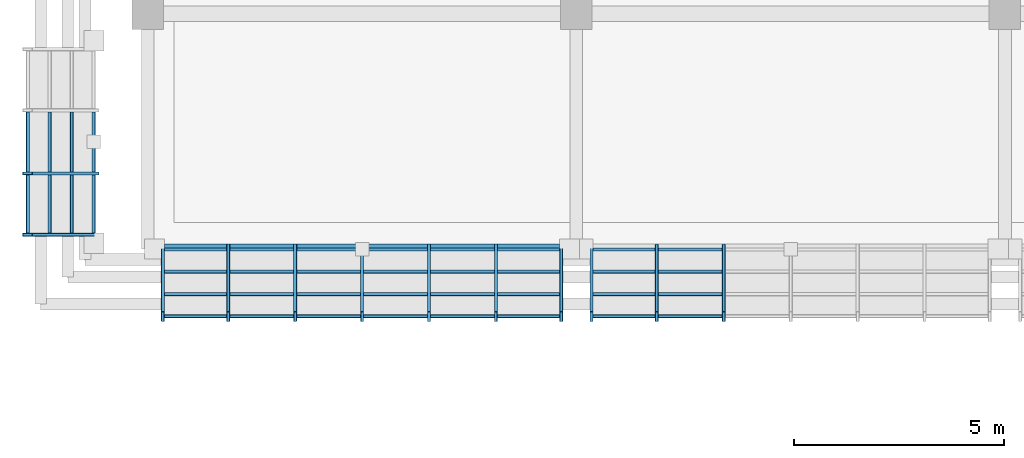
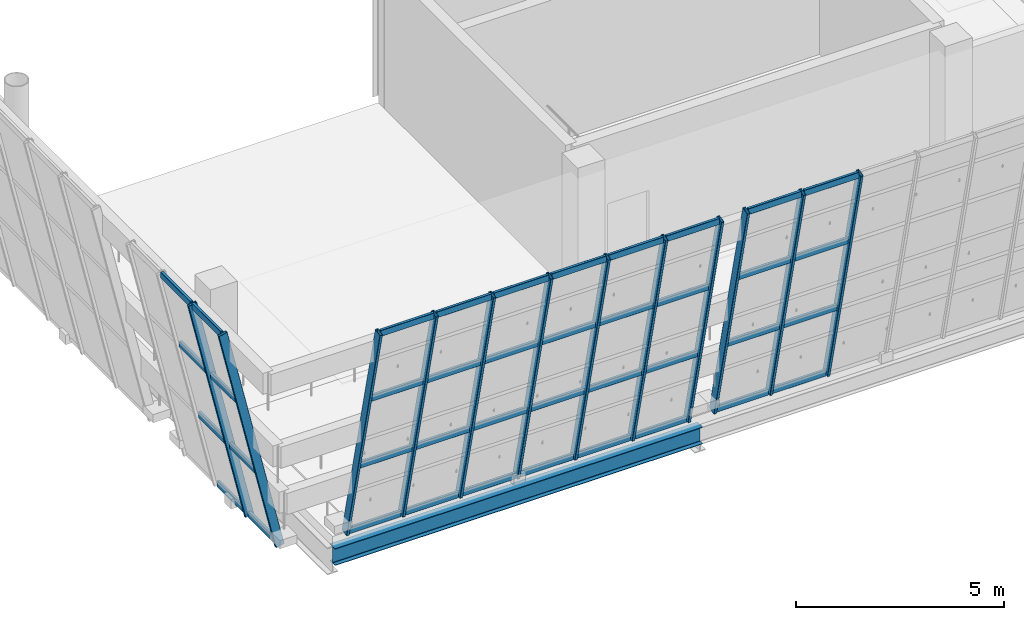
# One storey, part 21 of 157: 52 members, 1 beam, 3 elements without a shape of their own.
"""IFC4 building model written with IfcOpenShell, lengths in metres."""

from ifc_helpers import new_model, si_unit, direction, frame, origin, origin_2d, place, context, subcontext, project, spatial, hollow_rectangle, i_section, extrude, material, material_profile, profile_set, type_object, element, aggregate, save


model = new_model("IFC4")

# Units and contexts
model_context = context("Model", 3, precision=1e-05, world=origin(), true_north=direction((0.0, 1.0)))
body_context = subcontext(model_context, "Body", "Model", "MODEL_VIEW")
ifc_project = project(units=[si_unit("LENGTHUNIT", "METRE"), si_unit("AREAUNIT", "SQUARE_METRE"), si_unit("VOLUMEUNIT", "CUBIC_METRE"), si_unit("PLANEANGLEUNIT", "RADIAN"), si_unit("MASSUNIT", "GRAM", prefix="KILO")], contexts=[model_context])

# Site, building, storey
site_placement = place(None, origin())
site = spatial("IfcSite", under=ifc_project, at=site_placement, CompositionType="ELEMENT")
building_placement = place(site_placement, origin())
building = spatial("IfcBuilding", under=site, at=building_placement, Name="Brelvane Convention Centre", CompositionType="ELEMENT")
storey_placement = place(building_placement, frame((0.0, 0.0, 10.800048828125)))
storey = spatial("IfcBuildingStorey", under=building, at=storey_placement, Name="L02", CompositionType="ELEMENT", Elevation=10.800048828125)

# Curtain wall, members
ifc_material_1 = material(Name="Anodised Aluminium Alloy 6063-T6", Category="aluminium")
curtain_wall_type = type_object("IfcCurtainWallType", Name="Curtain Wall CW-HULL-S", PredefinedType="USERDEFINED", material=ifc_material_1)
curtain_wall_1_placement = place(storey_placement, origin())
curtain_wall_1 = element("IfcCurtainWall", 1, at=curtain_wall_1_placement, inside=storey, type_object=curtain_wall_type, Name="Curtain Wall CW-HULL-S L02-HULL-S-L02-01", ObjectType="UNITISED", PredefinedType="USERDEFINED")
ifc_material_2 = material(Name="Anodised Aluminium Alloy 6063-T6", Category="aluminium")
ifc_material_profile_1 = material_profile(ifc_material_2, hollow_rectangle(XDim=0.080078125, YDim=0.239990234375, WallThickness=0.006103515625, InnerFilletRadius=0.006103515625, OuterFilletRadius=0.011962890625, at=origin_2d()), Name="ALU-M 240x80x6.0")
ifc_profile_set_1 = profile_set([ifc_material_profile_1], Name="Anodised Aluminium Alloy 6063-T6")
member_type_1 = type_object("IfcMemberType", Name="Curtain Mullion CW-M1", PredefinedType="MULLION", material=ifc_profile_set_1)
member_1_placement = place(storey_placement, frame((0.360107421875, 13.60009765625, 0.0), z_axis=(0.0, -0.228360410362, 0.973576665178), x_axis=(1.0, 0.0, 0.0)))
member_1 = element("IfcMember", 2, at=member_1_placement, type_object=member_type_1, Name="CW-HULL-S mullion 1", PredefinedType="MULLION", context=body_context, shape_type="SweptSolid", body=[
    extrude(hollow_rectangle(XDim=0.080078125, YDim=0.239990234375, WallThickness=0.006103515625, InnerFilletRadius=0.006103515625, OuterFilletRadius=0.011962890625, at=origin_2d()), origin(), (0.0, 0.0, 1.0), 7.03564453125),
])
member_2_placement = place(storey_placement, frame((1.913330078125, 13.60009765625, 0.0), z_axis=(0.0, -0.228360410362, 0.973576665178), x_axis=(1.0, 0.0, 0.0)))
member_2 = element("IfcMember", 3, at=member_2_placement, type_object=member_type_1, Name="CW-HULL-S mullion 2", PredefinedType="MULLION", context=body_context, shape_type="SweptSolid", body=[
    extrude(hollow_rectangle(XDim=0.080078125, YDim=0.239990234375, WallThickness=0.006103515625, InnerFilletRadius=0.006103515625, OuterFilletRadius=0.011962890625, at=origin_2d()), origin(), (0.0, 0.0, 1.0), 7.03564453125),
])
member_3_placement = place(storey_placement, frame((3.506591796875, 13.60009765625, 0.0), z_axis=(0.0, -0.228360410362, 0.973576665178), x_axis=(1.0, 0.0, 0.0)))
member_3 = element("IfcMember", 4, at=member_3_placement, type_object=member_type_1, Name="CW-HULL-S mullion 3", PredefinedType="MULLION", context=body_context, shape_type="SweptSolid", body=[
    extrude(hollow_rectangle(XDim=0.080078125, YDim=0.239990234375, WallThickness=0.006103515625, InnerFilletRadius=0.006103515625, OuterFilletRadius=0.011962890625, at=origin_2d()), origin(), (0.0, 0.0, 1.0), 7.03564453125),
])
member_4_placement = place(storey_placement, frame((5.10009765625, 13.60009765625, 0.0), z_axis=(0.0, -0.228360410362, 0.973576665178), x_axis=(1.0, 0.0, 0.0)))
member_4 = element("IfcMember", 5, at=member_4_placement, type_object=member_type_1, Name="CW-HULL-S mullion 4", PredefinedType="MULLION", context=body_context, shape_type="SweptSolid", body=[
    extrude(hollow_rectangle(XDim=0.080078125, YDim=0.239990234375, WallThickness=0.006103515625, InnerFilletRadius=0.006103515625, OuterFilletRadius=0.011962890625, at=origin_2d()), origin(), (0.0, 0.0, 1.0), 7.03564453125),
])
member_5_placement = place(storey_placement, frame((6.693359375, 13.60009765625, 0.0), z_axis=(0.0, -0.228360410362, 0.973576665178), x_axis=(1.0, 0.0, 0.0)))
member_5 = element("IfcMember", 6, at=member_5_placement, type_object=member_type_1, Name="CW-HULL-S mullion 5", PredefinedType="MULLION", context=body_context, shape_type="SweptSolid", body=[
    extrude(hollow_rectangle(XDim=0.080078125, YDim=0.239990234375, WallThickness=0.006103515625, InnerFilletRadius=0.006103515625, OuterFilletRadius=0.011962890625, at=origin_2d()), origin(), (0.0, 0.0, 1.0), 7.03564453125),
])
member_6_placement = place(storey_placement, frame((8.28662109375, 13.60009765625, 0.0), z_axis=(0.0, -0.228360410362, 0.973576665178), x_axis=(1.0, 0.0, 0.0)))
member_6 = element("IfcMember", 7, at=member_6_placement, type_object=member_type_1, Name="CW-HULL-S mullion 6", PredefinedType="MULLION", context=body_context, shape_type="SweptSolid", body=[
    extrude(hollow_rectangle(XDim=0.080078125, YDim=0.239990234375, WallThickness=0.006103515625, InnerFilletRadius=0.006103515625, OuterFilletRadius=0.011962890625, at=origin_2d()), origin(), (0.0, 0.0, 1.0), 7.03564453125),
])
member_7_placement = place(storey_placement, frame((9.840087890625, 13.60009765625, 0.0), z_axis=(0.0, -0.228360410362, 0.973576665178), x_axis=(1.0, 0.0, 0.0)))
member_7 = element("IfcMember", 8, at=member_7_placement, type_object=member_type_1, Name="CW-HULL-S mullion 7", PredefinedType="MULLION", context=body_context, shape_type="SweptSolid", body=[
    extrude(hollow_rectangle(XDim=0.080078125, YDim=0.239990234375, WallThickness=0.006103515625, InnerFilletRadius=0.006103515625, OuterFilletRadius=0.011962890625, at=origin_2d()), origin(), (0.0, 0.0, 1.0), 7.03564453125),
])

curtain_wall_2_placement = place(storey_placement, origin())
curtain_wall_2 = element("IfcCurtainWall", 9, at=curtain_wall_2_placement, inside=storey, type_object=curtain_wall_type, Name="Curtain Wall CW-HULL-S L02-HULL-S-L02-02", ObjectType="UNITISED", PredefinedType="USERDEFINED")
member_8_placement = place(storey_placement, frame((10.56005859375, 13.60009765625, 0.0), z_axis=(0.0, -0.228360410362, 0.973576665178), x_axis=(1.0, 0.0, 0.0)))
member_8 = element("IfcMember", 10, at=member_8_placement, type_object=member_type_1, Name="CW-HULL-S mullion 1", PredefinedType="MULLION", context=body_context, shape_type="SweptSolid", body=[
    extrude(hollow_rectangle(XDim=0.080078125, YDim=0.239990234375, WallThickness=0.006103515625, InnerFilletRadius=0.006103515625, OuterFilletRadius=0.011962890625, at=origin_2d()), origin(), (0.0, 0.0, 1.0), 7.03564453125),
])
member_9_placement = place(storey_placement, frame((12.11328125, 13.60009765625, 0.0), z_axis=(0.0, -0.228360410362, 0.973576665178), x_axis=(1.0, 0.0, 0.0)))
member_9 = element("IfcMember", 11, at=member_9_placement, type_object=member_type_1, Name="CW-HULL-S mullion 2", PredefinedType="MULLION", context=body_context, shape_type="SweptSolid", body=[
    extrude(hollow_rectangle(XDim=0.080078125, YDim=0.239990234375, WallThickness=0.006103515625, InnerFilletRadius=0.006103515625, OuterFilletRadius=0.011962890625, at=origin_2d()), origin(), (0.0, 0.0, 1.0), 7.03564453125),
])
member_10_placement = place(storey_placement, frame((13.706787109375, 13.60009765625, 0.0), z_axis=(0.0, -0.228360410362, 0.973576665178), x_axis=(1.0, 0.0, 0.0)))
member_10 = element("IfcMember", 12, at=member_10_placement, type_object=member_type_1, Name="CW-HULL-S mullion 3", PredefinedType="MULLION", context=body_context, shape_type="SweptSolid", body=[
    extrude(hollow_rectangle(XDim=0.080078125, YDim=0.239990234375, WallThickness=0.006103515625, InnerFilletRadius=0.006103515625, OuterFilletRadius=0.011962890625, at=origin_2d()), origin(), (0.0, 0.0, 1.0), 7.03564453125),
])

curtain_wall_3_placement = place(storey_placement, origin())
curtain_wall_3 = element("IfcCurtainWall", 13, at=curtain_wall_3_placement, inside=storey, type_object=curtain_wall_type, Name="Curtain Wall CW-HULL-S L02-HULL-W-GAL-L02-A", ObjectType="UNITISED", PredefinedType="USERDEFINED")
member_11_placement = place(storey_placement, frame((-1.280029296875, 13.93994140625, 0.0), z_axis=(-0.228358217905, 0.0, 0.973577179434), x_axis=(0.0, -1.0, 0.0)))
member_11 = element("IfcMember", 14, at=member_11_placement, type_object=member_type_1, Name="CW-HULL-S mullion 1", PredefinedType="MULLION", context=body_context, shape_type="SweptSolid", body=[
    extrude(hollow_rectangle(XDim=0.080078125, YDim=0.239990234375, WallThickness=0.006103515625, InnerFilletRadius=0.006103515625, OuterFilletRadius=0.011962890625, at=origin_2d()), origin(), (0.0, 0.0, 1.0), 6.93310546875),
])
member_12_placement = place(storey_placement, frame((-1.280029296875, 15.39990234375, 0.0), z_axis=(-0.228358217905, 0.0, 0.973577179434), x_axis=(0.0, -1.0, 0.0)))
member_12 = element("IfcMember", 15, at=member_12_placement, type_object=member_type_1, Name="CW-HULL-S mullion 2", PredefinedType="MULLION", context=body_context, shape_type="SweptSolid", body=[
    extrude(hollow_rectangle(XDim=0.080078125, YDim=0.239990234375, WallThickness=0.006103515625, InnerFilletRadius=0.006103515625, OuterFilletRadius=0.011962890625, at=origin_2d()), origin(), (0.0, 0.0, 1.0), 6.93310546875),
])

# Member
ifc_material_3 = material(Name="Anodised Aluminium Alloy 6063-T6", Category="aluminium")
ifc_material_profile_2 = material_profile(ifc_material_3, hollow_rectangle(XDim=0.080078125, YDim=0.179931640625, WallThickness=0.0048828125, InnerFilletRadius=0.0048828125, OuterFilletRadius=0.010009765625, at=origin_2d()), Name="ALU-T 180x80x5.0")
ifc_profile_set_2 = profile_set([ifc_material_profile_2], Name="Anodised Aluminium Alloy 6063-T6")
member_type_2 = type_object("IfcMemberType", Name="Curtain Transom CW-T1", PredefinedType="USERDEFINED", material=ifc_profile_set_2)
member_13_placement = place(storey_placement, frame((0.39990234375, 13.590576171875, 0.0400390625), z_axis=(1.0, 0.0, 0.0), x_axis=(0.0, 1.0, 0.0)))
member_13 = element("IfcMember", 16, at=member_13_placement, type_object=member_type_2, Name="CW-HULL-S transom 1.1", ObjectType="TRANSOM", PredefinedType="USERDEFINED", context=body_context, shape_type="SweptSolid", body=[
    extrude(hollow_rectangle(XDim=0.080078125, YDim=0.179931640625, WallThickness=0.0048828125, InnerFilletRadius=0.0048828125, OuterFilletRadius=0.010009765625, at=origin_2d()), origin(), (0.0, 0.0, 1.0), 1.473388671875),
])

member_14_placement = place(storey_placement, frame((0.39990234375, 13.064453125, 2.283203125), z_axis=(1.0, 0.0, 0.0), x_axis=(0.0, 1.0, 0.0)))
member_14 = element("IfcMember", 17, at=member_14_placement, type_object=member_type_2, Name="CW-HULL-S transom 1.2", ObjectType="TRANSOM", PredefinedType="USERDEFINED", context=body_context, shape_type="SweptSolid", body=[
    extrude(hollow_rectangle(XDim=0.080078125, YDim=0.179931640625, WallThickness=0.0048828125, InnerFilletRadius=0.0048828125, OuterFilletRadius=0.010009765625, at=origin_2d()), origin(), (0.0, 0.0, 1.0), 1.473388671875),
])

member_15_placement = place(storey_placement, frame((0.39990234375, 12.52880859375, 4.566650390625), z_axis=(1.0, 0.0, 0.0), x_axis=(0.0, 1.0, 0.0)))
member_15 = element("IfcMember", 18, at=member_15_placement, type_object=member_type_2, Name="CW-HULL-S transom 1.3", ObjectType="TRANSOM", PredefinedType="USERDEFINED", context=body_context, shape_type="SweptSolid", body=[
    extrude(hollow_rectangle(XDim=0.080078125, YDim=0.179931640625, WallThickness=0.0048828125, InnerFilletRadius=0.0048828125, OuterFilletRadius=0.010009765625, at=origin_2d()), origin(), (0.0, 0.0, 1.0), 1.473388671875),
])

member_16_placement = place(storey_placement, frame((0.39990234375, 12.002685546875, 6.81005859375), z_axis=(1.0, 0.0, 0.0), x_axis=(0.0, 1.0, 0.0)))
member_16 = element("IfcMember", 19, at=member_16_placement, type_object=member_type_2, Name="CW-HULL-S transom 1.4", ObjectType="TRANSOM", PredefinedType="USERDEFINED", context=body_context, shape_type="SweptSolid", body=[
    extrude(hollow_rectangle(XDim=0.080078125, YDim=0.179931640625, WallThickness=0.0048828125, InnerFilletRadius=0.0048828125, OuterFilletRadius=0.010009765625, at=origin_2d()), origin(), (0.0, 0.0, 1.0), 1.473388671875),
])

member_17_placement = place(storey_placement, frame((1.953369140625, 13.590576171875, 0.0400390625), z_axis=(1.0, 0.0, 0.0), x_axis=(0.0, 1.0, 0.0)))
member_17 = element("IfcMember", 20, at=member_17_placement, type_object=member_type_2, Name="CW-HULL-S transom 2.1", ObjectType="TRANSOM", PredefinedType="USERDEFINED", context=body_context, shape_type="SweptSolid", body=[
    extrude(hollow_rectangle(XDim=0.080078125, YDim=0.179931640625, WallThickness=0.0048828125, InnerFilletRadius=0.0048828125, OuterFilletRadius=0.010009765625, at=origin_2d()), origin(), (0.0, 0.0, 1.0), 1.51318359375),
])

member_18_placement = place(storey_placement, frame((1.953369140625, 13.064453125, 2.283203125), z_axis=(1.0, 0.0, 0.0), x_axis=(0.0, 1.0, 0.0)))
member_18 = element("IfcMember", 21, at=member_18_placement, type_object=member_type_2, Name="CW-HULL-S transom 2.2", ObjectType="TRANSOM", PredefinedType="USERDEFINED", context=body_context, shape_type="SweptSolid", body=[
    extrude(hollow_rectangle(XDim=0.080078125, YDim=0.179931640625, WallThickness=0.0048828125, InnerFilletRadius=0.0048828125, OuterFilletRadius=0.010009765625, at=origin_2d()), origin(), (0.0, 0.0, 1.0), 1.51318359375),
])

member_19_placement = place(storey_placement, frame((1.953369140625, 12.52880859375, 4.566650390625), z_axis=(1.0, 0.0, 0.0), x_axis=(0.0, 1.0, 0.0)))
member_19 = element("IfcMember", 22, at=member_19_placement, type_object=member_type_2, Name="CW-HULL-S transom 2.3", ObjectType="TRANSOM", PredefinedType="USERDEFINED", context=body_context, shape_type="SweptSolid", body=[
    extrude(hollow_rectangle(XDim=0.080078125, YDim=0.179931640625, WallThickness=0.0048828125, InnerFilletRadius=0.0048828125, OuterFilletRadius=0.010009765625, at=origin_2d()), origin(), (0.0, 0.0, 1.0), 1.51318359375),
])

member_20_placement = place(storey_placement, frame((1.953369140625, 12.002685546875, 6.81005859375), z_axis=(1.0, 0.0, 0.0), x_axis=(0.0, 1.0, 0.0)))
member_20 = element("IfcMember", 23, at=member_20_placement, type_object=member_type_2, Name="CW-HULL-S transom 2.4", ObjectType="TRANSOM", PredefinedType="USERDEFINED", context=body_context, shape_type="SweptSolid", body=[
    extrude(hollow_rectangle(XDim=0.080078125, YDim=0.179931640625, WallThickness=0.0048828125, InnerFilletRadius=0.0048828125, OuterFilletRadius=0.010009765625, at=origin_2d()), origin(), (0.0, 0.0, 1.0), 1.51318359375),
])

member_21_placement = place(storey_placement, frame((3.546630859375, 13.590576171875, 0.0400390625), z_axis=(1.0, 0.0, 0.0), x_axis=(0.0, 1.0, 0.0)))
member_21 = element("IfcMember", 24, at=member_21_placement, type_object=member_type_2, Name="CW-HULL-S transom 3.1", ObjectType="TRANSOM", PredefinedType="USERDEFINED", context=body_context, shape_type="SweptSolid", body=[
    extrude(hollow_rectangle(XDim=0.080078125, YDim=0.179931640625, WallThickness=0.0048828125, InnerFilletRadius=0.0048828125, OuterFilletRadius=0.010009765625, at=origin_2d()), origin(), (0.0, 0.0, 1.0), 1.513427734375),
])

member_22_placement = place(storey_placement, frame((3.546630859375, 13.064453125, 2.283203125), z_axis=(1.0, 0.0, 0.0), x_axis=(0.0, 1.0, 0.0)))
member_22 = element("IfcMember", 25, at=member_22_placement, type_object=member_type_2, Name="CW-HULL-S transom 3.2", ObjectType="TRANSOM", PredefinedType="USERDEFINED", context=body_context, shape_type="SweptSolid", body=[
    extrude(hollow_rectangle(XDim=0.080078125, YDim=0.179931640625, WallThickness=0.0048828125, InnerFilletRadius=0.0048828125, OuterFilletRadius=0.010009765625, at=origin_2d()), origin(), (0.0, 0.0, 1.0), 1.513427734375),
])

member_23_placement = place(storey_placement, frame((3.546630859375, 12.52880859375, 4.566650390625), z_axis=(1.0, 0.0, 0.0), x_axis=(0.0, 1.0, 0.0)))
member_23 = element("IfcMember", 26, at=member_23_placement, type_object=member_type_2, Name="CW-HULL-S transom 3.3", ObjectType="TRANSOM", PredefinedType="USERDEFINED", context=body_context, shape_type="SweptSolid", body=[
    extrude(hollow_rectangle(XDim=0.080078125, YDim=0.179931640625, WallThickness=0.0048828125, InnerFilletRadius=0.0048828125, OuterFilletRadius=0.010009765625, at=origin_2d()), origin(), (0.0, 0.0, 1.0), 1.513427734375),
])

member_24_placement = place(storey_placement, frame((3.546630859375, 12.002685546875, 6.81005859375), z_axis=(1.0, 0.0, 0.0), x_axis=(0.0, 1.0, 0.0)))
member_24 = element("IfcMember", 27, at=member_24_placement, type_object=member_type_2, Name="CW-HULL-S transom 3.4", ObjectType="TRANSOM", PredefinedType="USERDEFINED", context=body_context, shape_type="SweptSolid", body=[
    extrude(hollow_rectangle(XDim=0.080078125, YDim=0.179931640625, WallThickness=0.0048828125, InnerFilletRadius=0.0048828125, OuterFilletRadius=0.010009765625, at=origin_2d()), origin(), (0.0, 0.0, 1.0), 1.513427734375),
])

member_25_placement = place(storey_placement, frame((5.139892578125, 13.590576171875, 0.0400390625), z_axis=(1.0, 0.0, 0.0), x_axis=(0.0, 1.0, 0.0)))
member_25 = element("IfcMember", 28, at=member_25_placement, type_object=member_type_2, Name="CW-HULL-S transom 4.1", ObjectType="TRANSOM", PredefinedType="USERDEFINED", context=body_context, shape_type="SweptSolid", body=[
    extrude(hollow_rectangle(XDim=0.080078125, YDim=0.179931640625, WallThickness=0.0048828125, InnerFilletRadius=0.0048828125, OuterFilletRadius=0.010009765625, at=origin_2d()), origin(), (0.0, 0.0, 1.0), 1.513427734375),
])

member_26_placement = place(storey_placement, frame((5.139892578125, 13.064453125, 2.283203125), z_axis=(1.0, 0.0, 0.0), x_axis=(0.0, 1.0, 0.0)))
member_26 = element("IfcMember", 29, at=member_26_placement, type_object=member_type_2, Name="CW-HULL-S transom 4.2", ObjectType="TRANSOM", PredefinedType="USERDEFINED", context=body_context, shape_type="SweptSolid", body=[
    extrude(hollow_rectangle(XDim=0.080078125, YDim=0.179931640625, WallThickness=0.0048828125, InnerFilletRadius=0.0048828125, OuterFilletRadius=0.010009765625, at=origin_2d()), origin(), (0.0, 0.0, 1.0), 1.513427734375),
])

member_27_placement = place(storey_placement, frame((5.139892578125, 12.52880859375, 4.566650390625), z_axis=(1.0, 0.0, 0.0), x_axis=(0.0, 1.0, 0.0)))
member_27 = element("IfcMember", 30, at=member_27_placement, type_object=member_type_2, Name="CW-HULL-S transom 4.3", ObjectType="TRANSOM", PredefinedType="USERDEFINED", context=body_context, shape_type="SweptSolid", body=[
    extrude(hollow_rectangle(XDim=0.080078125, YDim=0.179931640625, WallThickness=0.0048828125, InnerFilletRadius=0.0048828125, OuterFilletRadius=0.010009765625, at=origin_2d()), origin(), (0.0, 0.0, 1.0), 1.513427734375),
])

member_28_placement = place(storey_placement, frame((5.139892578125, 12.002685546875, 6.81005859375), z_axis=(1.0, 0.0, 0.0), x_axis=(0.0, 1.0, 0.0)))
member_28 = element("IfcMember", 31, at=member_28_placement, type_object=member_type_2, Name="CW-HULL-S transom 4.4", ObjectType="TRANSOM", PredefinedType="USERDEFINED", context=body_context, shape_type="SweptSolid", body=[
    extrude(hollow_rectangle(XDim=0.080078125, YDim=0.179931640625, WallThickness=0.0048828125, InnerFilletRadius=0.0048828125, OuterFilletRadius=0.010009765625, at=origin_2d()), origin(), (0.0, 0.0, 1.0), 1.513427734375),
])

member_29_placement = place(storey_placement, frame((6.7333984375, 13.590576171875, 0.0400390625), z_axis=(1.0, 0.0, 0.0), x_axis=(0.0, 1.0, 0.0)))
member_29 = element("IfcMember", 32, at=member_29_placement, type_object=member_type_2, Name="CW-HULL-S transom 5.1", ObjectType="TRANSOM", PredefinedType="USERDEFINED", context=body_context, shape_type="SweptSolid", body=[
    extrude(hollow_rectangle(XDim=0.080078125, YDim=0.179931640625, WallThickness=0.0048828125, InnerFilletRadius=0.0048828125, OuterFilletRadius=0.010009765625, at=origin_2d()), origin(), (0.0, 0.0, 1.0), 1.51318359375),
])

member_30_placement = place(storey_placement, frame((6.7333984375, 13.064453125, 2.283203125), z_axis=(1.0, 0.0, 0.0), x_axis=(0.0, 1.0, 0.0)))
member_30 = element("IfcMember", 33, at=member_30_placement, type_object=member_type_2, Name="CW-HULL-S transom 5.2", ObjectType="TRANSOM", PredefinedType="USERDEFINED", context=body_context, shape_type="SweptSolid", body=[
    extrude(hollow_rectangle(XDim=0.080078125, YDim=0.179931640625, WallThickness=0.0048828125, InnerFilletRadius=0.0048828125, OuterFilletRadius=0.010009765625, at=origin_2d()), origin(), (0.0, 0.0, 1.0), 1.51318359375),
])

member_31_placement = place(storey_placement, frame((6.7333984375, 12.52880859375, 4.566650390625), z_axis=(1.0, 0.0, 0.0), x_axis=(0.0, 1.0, 0.0)))
member_31 = element("IfcMember", 34, at=member_31_placement, type_object=member_type_2, Name="CW-HULL-S transom 5.3", ObjectType="TRANSOM", PredefinedType="USERDEFINED", context=body_context, shape_type="SweptSolid", body=[
    extrude(hollow_rectangle(XDim=0.080078125, YDim=0.179931640625, WallThickness=0.0048828125, InnerFilletRadius=0.0048828125, OuterFilletRadius=0.010009765625, at=origin_2d()), origin(), (0.0, 0.0, 1.0), 1.51318359375),
])

member_32_placement = place(storey_placement, frame((6.7333984375, 12.002685546875, 6.81005859375), z_axis=(1.0, 0.0, 0.0), x_axis=(0.0, 1.0, 0.0)))
member_32 = element("IfcMember", 35, at=member_32_placement, type_object=member_type_2, Name="CW-HULL-S transom 5.4", ObjectType="TRANSOM", PredefinedType="USERDEFINED", context=body_context, shape_type="SweptSolid", body=[
    extrude(hollow_rectangle(XDim=0.080078125, YDim=0.179931640625, WallThickness=0.0048828125, InnerFilletRadius=0.0048828125, OuterFilletRadius=0.010009765625, at=origin_2d()), origin(), (0.0, 0.0, 1.0), 1.51318359375),
])

member_33_placement = place(storey_placement, frame((8.32666015625, 13.590576171875, 0.0400390625), z_axis=(1.0, 0.0, 0.0), x_axis=(0.0, 1.0, 0.0)))
member_33 = element("IfcMember", 36, at=member_33_placement, type_object=member_type_2, Name="CW-HULL-S transom 6.1", ObjectType="TRANSOM", PredefinedType="USERDEFINED", context=body_context, shape_type="SweptSolid", body=[
    extrude(hollow_rectangle(XDim=0.080078125, YDim=0.179931640625, WallThickness=0.0048828125, InnerFilletRadius=0.0048828125, OuterFilletRadius=0.010009765625, at=origin_2d()), origin(), (0.0, 0.0, 1.0), 1.473388671875),
])

member_34_placement = place(storey_placement, frame((8.32666015625, 13.064453125, 2.283203125), z_axis=(1.0, 0.0, 0.0), x_axis=(0.0, 1.0, 0.0)))
member_34 = element("IfcMember", 37, at=member_34_placement, type_object=member_type_2, Name="CW-HULL-S transom 6.2", ObjectType="TRANSOM", PredefinedType="USERDEFINED", context=body_context, shape_type="SweptSolid", body=[
    extrude(hollow_rectangle(XDim=0.080078125, YDim=0.179931640625, WallThickness=0.0048828125, InnerFilletRadius=0.0048828125, OuterFilletRadius=0.010009765625, at=origin_2d()), origin(), (0.0, 0.0, 1.0), 1.473388671875),
])

member_35_placement = place(storey_placement, frame((8.32666015625, 12.52880859375, 4.566650390625), z_axis=(1.0, 0.0, 0.0), x_axis=(0.0, 1.0, 0.0)))
member_35 = element("IfcMember", 38, at=member_35_placement, type_object=member_type_2, Name="CW-HULL-S transom 6.3", ObjectType="TRANSOM", PredefinedType="USERDEFINED", context=body_context, shape_type="SweptSolid", body=[
    extrude(hollow_rectangle(XDim=0.080078125, YDim=0.179931640625, WallThickness=0.0048828125, InnerFilletRadius=0.0048828125, OuterFilletRadius=0.010009765625, at=origin_2d()), origin(), (0.0, 0.0, 1.0), 1.473388671875),
])

member_36_placement = place(storey_placement, frame((8.32666015625, 12.002685546875, 6.81005859375), z_axis=(1.0, 0.0, 0.0), x_axis=(0.0, 1.0, 0.0)))
member_36 = element("IfcMember", 39, at=member_36_placement, type_object=member_type_2, Name="CW-HULL-S transom 6.4", ObjectType="TRANSOM", PredefinedType="USERDEFINED", context=body_context, shape_type="SweptSolid", body=[
    extrude(hollow_rectangle(XDim=0.080078125, YDim=0.179931640625, WallThickness=0.0048828125, InnerFilletRadius=0.0048828125, OuterFilletRadius=0.010009765625, at=origin_2d()), origin(), (0.0, 0.0, 1.0), 1.473388671875),
])

aggregate(curtain_wall_1, [member_1, member_2, member_3, member_4, member_5, member_6, member_7, member_13, member_14, member_15, member_16, member_17, member_18, member_19, member_20, member_21, member_22, member_23, member_24, member_25, member_26, member_27, member_28, member_29, member_30, member_31, member_32, member_33, member_34, member_35, member_36])

member_37_placement = place(storey_placement, frame((10.60009765625, 13.590576171875, 0.0400390625), z_axis=(1.0, 0.0, 0.0), x_axis=(0.0, 1.0, 0.0)))
member_37 = element("IfcMember", 40, at=member_37_placement, type_object=member_type_2, Name="CW-HULL-S transom 1.1", ObjectType="TRANSOM", PredefinedType="USERDEFINED", context=body_context, shape_type="SweptSolid", body=[
    extrude(hollow_rectangle(XDim=0.080078125, YDim=0.179931640625, WallThickness=0.0048828125, InnerFilletRadius=0.0048828125, OuterFilletRadius=0.010009765625, at=origin_2d()), origin(), (0.0, 0.0, 1.0), 1.47314453125),
])

member_38_placement = place(storey_placement, frame((10.60009765625, 13.064453125, 2.283203125), z_axis=(1.0, 0.0, 0.0), x_axis=(0.0, 1.0, 0.0)))
member_38 = element("IfcMember", 41, at=member_38_placement, type_object=member_type_2, Name="CW-HULL-S transom 1.2", ObjectType="TRANSOM", PredefinedType="USERDEFINED", context=body_context, shape_type="SweptSolid", body=[
    extrude(hollow_rectangle(XDim=0.080078125, YDim=0.179931640625, WallThickness=0.0048828125, InnerFilletRadius=0.0048828125, OuterFilletRadius=0.010009765625, at=origin_2d()), origin(), (0.0, 0.0, 1.0), 1.47314453125),
])

member_39_placement = place(storey_placement, frame((10.60009765625, 12.52880859375, 4.566650390625), z_axis=(1.0, 0.0, 0.0), x_axis=(0.0, 1.0, 0.0)))
member_39 = element("IfcMember", 42, at=member_39_placement, type_object=member_type_2, Name="CW-HULL-S transom 1.3", ObjectType="TRANSOM", PredefinedType="USERDEFINED", context=body_context, shape_type="SweptSolid", body=[
    extrude(hollow_rectangle(XDim=0.080078125, YDim=0.179931640625, WallThickness=0.0048828125, InnerFilletRadius=0.0048828125, OuterFilletRadius=0.010009765625, at=origin_2d()), origin(), (0.0, 0.0, 1.0), 1.47314453125),
])

member_40_placement = place(storey_placement, frame((10.60009765625, 12.002685546875, 6.81005859375), z_axis=(1.0, 0.0, 0.0), x_axis=(0.0, 1.0, 0.0)))
member_40 = element("IfcMember", 43, at=member_40_placement, type_object=member_type_2, Name="CW-HULL-S transom 1.4", ObjectType="TRANSOM", PredefinedType="USERDEFINED", context=body_context, shape_type="SweptSolid", body=[
    extrude(hollow_rectangle(XDim=0.080078125, YDim=0.179931640625, WallThickness=0.0048828125, InnerFilletRadius=0.0048828125, OuterFilletRadius=0.010009765625, at=origin_2d()), origin(), (0.0, 0.0, 1.0), 1.47314453125),
])

member_41_placement = place(storey_placement, frame((12.1533203125, 13.590576171875, 0.0400390625), z_axis=(1.0, 0.0, 0.0), x_axis=(0.0, 1.0, 0.0)))
member_41 = element("IfcMember", 44, at=member_41_placement, type_object=member_type_2, Name="CW-HULL-S transom 2.1", ObjectType="TRANSOM", PredefinedType="USERDEFINED", context=body_context, shape_type="SweptSolid", body=[
    extrude(hollow_rectangle(XDim=0.080078125, YDim=0.179931640625, WallThickness=0.0048828125, InnerFilletRadius=0.0048828125, OuterFilletRadius=0.010009765625, at=origin_2d()), origin(), (0.0, 0.0, 1.0), 1.513427734375),
])

member_42_placement = place(storey_placement, frame((12.1533203125, 13.064453125, 2.283203125), z_axis=(1.0, 0.0, 0.0), x_axis=(0.0, 1.0, 0.0)))
member_42 = element("IfcMember", 45, at=member_42_placement, type_object=member_type_2, Name="CW-HULL-S transom 2.2", ObjectType="TRANSOM", PredefinedType="USERDEFINED", context=body_context, shape_type="SweptSolid", body=[
    extrude(hollow_rectangle(XDim=0.080078125, YDim=0.179931640625, WallThickness=0.0048828125, InnerFilletRadius=0.0048828125, OuterFilletRadius=0.010009765625, at=origin_2d()), origin(), (0.0, 0.0, 1.0), 1.513427734375),
])

member_43_placement = place(storey_placement, frame((12.1533203125, 12.52880859375, 4.566650390625), z_axis=(1.0, 0.0, 0.0), x_axis=(0.0, 1.0, 0.0)))
member_43 = element("IfcMember", 46, at=member_43_placement, type_object=member_type_2, Name="CW-HULL-S transom 2.3", ObjectType="TRANSOM", PredefinedType="USERDEFINED", context=body_context, shape_type="SweptSolid", body=[
    extrude(hollow_rectangle(XDim=0.080078125, YDim=0.179931640625, WallThickness=0.0048828125, InnerFilletRadius=0.0048828125, OuterFilletRadius=0.010009765625, at=origin_2d()), origin(), (0.0, 0.0, 1.0), 1.513427734375),
])

member_44_placement = place(storey_placement, frame((12.1533203125, 12.002685546875, 6.81005859375), z_axis=(1.0, 0.0, 0.0), x_axis=(0.0, 1.0, 0.0)))
member_44 = element("IfcMember", 47, at=member_44_placement, type_object=member_type_2, Name="CW-HULL-S transom 2.4", ObjectType="TRANSOM", PredefinedType="USERDEFINED", context=body_context, shape_type="SweptSolid", body=[
    extrude(hollow_rectangle(XDim=0.080078125, YDim=0.179931640625, WallThickness=0.0048828125, InnerFilletRadius=0.0048828125, OuterFilletRadius=0.010009765625, at=origin_2d()), origin(), (0.0, 0.0, 1.0), 1.513427734375),
])

aggregate(curtain_wall_2, [member_8, member_9, member_10, member_37, member_38, member_39, member_40, member_41, member_42, member_43, member_44])

member_45_placement = place(storey_placement, frame((-1.289306640625, 13.97998046875, 0.0400390625), z_axis=(0.0, 1.0, 0.0), x_axis=(-1.0, 0.0, 0.0)))
member_45 = element("IfcMember", 48, at=member_45_placement, type_object=member_type_2, Name="CW-HULL-S transom 1.1", ObjectType="TRANSOM", PredefinedType="USERDEFINED", context=body_context, shape_type="SweptSolid", body=[
    extrude(hollow_rectangle(XDim=0.080078125, YDim=0.179931640625, WallThickness=0.0048828125, InnerFilletRadius=0.0048828125, OuterFilletRadius=0.010009765625, at=origin_2d()), origin(), (0.0, 0.0, 1.0), 1.380126953125),
])

member_46_placement = place(storey_placement, frame((-1.8076171875, 13.97998046875, 2.25), z_axis=(0.0, 1.0, 0.0), x_axis=(-1.0, 0.0, 0.0)))
member_46 = element("IfcMember", 49, at=member_46_placement, type_object=member_type_2, Name="CW-HULL-S transom 1.2", ObjectType="TRANSOM", PredefinedType="USERDEFINED", context=body_context, shape_type="SweptSolid", body=[
    extrude(hollow_rectangle(XDim=0.080078125, YDim=0.179931640625, WallThickness=0.0048828125, InnerFilletRadius=0.0048828125, OuterFilletRadius=0.010009765625, at=origin_2d()), origin(), (0.0, 0.0, 1.0), 1.380126953125),
])

member_47_placement = place(storey_placement, frame((-2.33544921875, 13.97998046875, 4.5), z_axis=(0.0, 1.0, 0.0), x_axis=(-1.0, 0.0, 0.0)))
member_47 = element("IfcMember", 50, at=member_47_placement, type_object=member_type_2, Name="CW-HULL-S transom 1.3", ObjectType="TRANSOM", PredefinedType="USERDEFINED", context=body_context, shape_type="SweptSolid", body=[
    extrude(hollow_rectangle(XDim=0.080078125, YDim=0.179931640625, WallThickness=0.0048828125, InnerFilletRadius=0.0048828125, OuterFilletRadius=0.010009765625, at=origin_2d()), origin(), (0.0, 0.0, 1.0), 1.380126953125),
])

member_48_placement = place(storey_placement, frame((-2.853759765625, 13.97998046875, 6.7099609375), z_axis=(0.0, 1.0, 0.0), x_axis=(-1.0, 0.0, 0.0)))
member_48 = element("IfcMember", 51, at=member_48_placement, type_object=member_type_2, Name="CW-HULL-S transom 1.4", ObjectType="TRANSOM", PredefinedType="USERDEFINED", context=body_context, shape_type="SweptSolid", body=[
    extrude(hollow_rectangle(XDim=0.080078125, YDim=0.179931640625, WallThickness=0.0048828125, InnerFilletRadius=0.0048828125, OuterFilletRadius=0.010009765625, at=origin_2d()), origin(), (0.0, 0.0, 1.0), 1.380126953125),
])

member_49_placement = place(storey_placement, frame((-1.289306640625, 15.43994140625, 0.0400390625), z_axis=(0.0, 1.0, 0.0), x_axis=(-1.0, 0.0, 0.0)))
member_49 = element("IfcMember", 52, at=member_49_placement, type_object=member_type_2, Name="CW-HULL-S transom 2.1", ObjectType="TRANSOM", PredefinedType="USERDEFINED", context=body_context, shape_type="SweptSolid", body=[
    extrude(hollow_rectangle(XDim=0.080078125, YDim=0.179931640625, WallThickness=0.0048828125, InnerFilletRadius=0.0048828125, OuterFilletRadius=0.010009765625, at=origin_2d()), origin(), (0.0, 0.0, 1.0), 1.420166015625),
])

member_50_placement = place(storey_placement, frame((-1.8076171875, 15.43994140625, 2.25), z_axis=(0.0, 1.0, 0.0), x_axis=(-1.0, 0.0, 0.0)))
member_50 = element("IfcMember", 53, at=member_50_placement, type_object=member_type_2, Name="CW-HULL-S transom 2.2", ObjectType="TRANSOM", PredefinedType="USERDEFINED", context=body_context, shape_type="SweptSolid", body=[
    extrude(hollow_rectangle(XDim=0.080078125, YDim=0.179931640625, WallThickness=0.0048828125, InnerFilletRadius=0.0048828125, OuterFilletRadius=0.010009765625, at=origin_2d()), origin(), (0.0, 0.0, 1.0), 1.420166015625),
])

member_51_placement = place(storey_placement, frame((-2.33544921875, 15.43994140625, 4.5), z_axis=(0.0, 1.0, 0.0), x_axis=(-1.0, 0.0, 0.0)))
member_51 = element("IfcMember", 54, at=member_51_placement, type_object=member_type_2, Name="CW-HULL-S transom 2.3", ObjectType="TRANSOM", PredefinedType="USERDEFINED", context=body_context, shape_type="SweptSolid", body=[
    extrude(hollow_rectangle(XDim=0.080078125, YDim=0.179931640625, WallThickness=0.0048828125, InnerFilletRadius=0.0048828125, OuterFilletRadius=0.010009765625, at=origin_2d()), origin(), (0.0, 0.0, 1.0), 1.420166015625),
])

member_52_placement = place(storey_placement, frame((-2.853759765625, 15.43994140625, 6.7099609375), z_axis=(0.0, 1.0, 0.0), x_axis=(-1.0, 0.0, 0.0)))
member_52 = element("IfcMember", 55, at=member_52_placement, type_object=member_type_2, Name="CW-HULL-S transom 2.4", ObjectType="TRANSOM", PredefinedType="USERDEFINED", context=body_context, shape_type="SweptSolid", body=[
    extrude(hollow_rectangle(XDim=0.080078125, YDim=0.179931640625, WallThickness=0.0048828125, InnerFilletRadius=0.0048828125, OuterFilletRadius=0.010009765625, at=origin_2d()), origin(), (0.0, 0.0, 1.0), 1.420166015625),
])

aggregate(curtain_wall_3, [member_11, member_12, member_45, member_46, member_47, member_48, member_49, member_50, member_51, member_52])

# Beam
ifc_material_4 = material(Name="Steel E350 (350 MPa)", Category="steel")
ifc_material_profile_3 = material_profile(ifc_material_4, i_section(OverallWidth=0.25, OverallDepth=0.5, WebThickness=0.010009765625, FlangeThickness=0.0146484375, FilletRadius=0.01611328125, at=origin_2d()), Name="ISWB 500")
ifc_profile_set_3 = profile_set([ifc_material_profile_3], Name="Steel E350 (350 MPa)")
beam_type = type_object("IfcBeamType", Name="Steel Spandrel SP-ST1 (ISWB 500)", PredefinedType="SPANDREL", material=ifc_profile_set_3)
beam_placement = place(storey_placement, frame((0.0, 13.60009765625, -0.530029296875), z_axis=(1.0, 0.0, 0.0), x_axis=(0.0, 1.0, 0.0)))
element("IfcBeam", 56, at=beam_placement, inside=storey, type_object=beam_type, Name="L02 Hull Overhang Edge Spandrel 1", PredefinedType="SPANDREL", context=body_context, shape_type="SweptSolid", body=[
    extrude(i_section(OverallWidth=0.25, OverallDepth=0.5, WebThickness=0.010009765625, FlangeThickness=0.0146484375, FilletRadius=0.01611328125, at=origin_2d()), origin(), (0.0, 0.0, 1.0), 10.199951171875),
])

save(model, "model.ifc")
